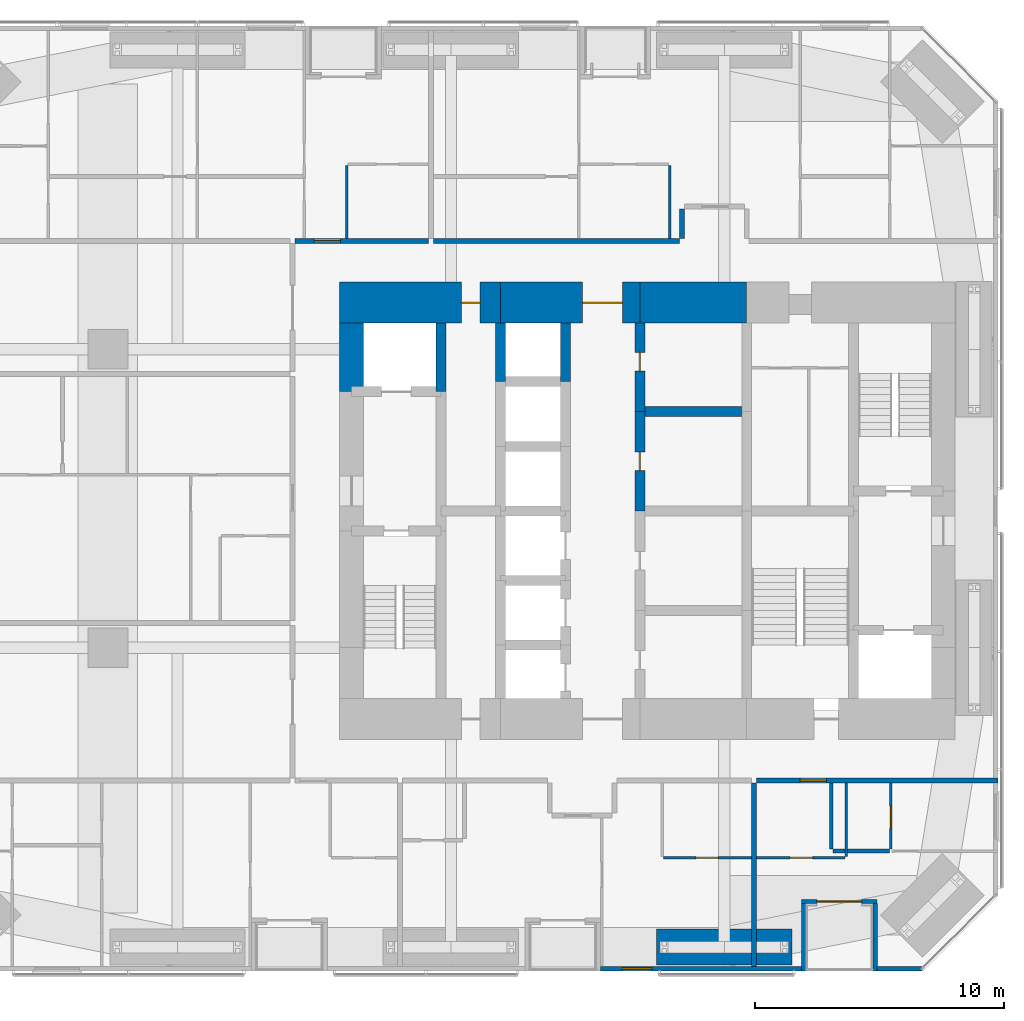
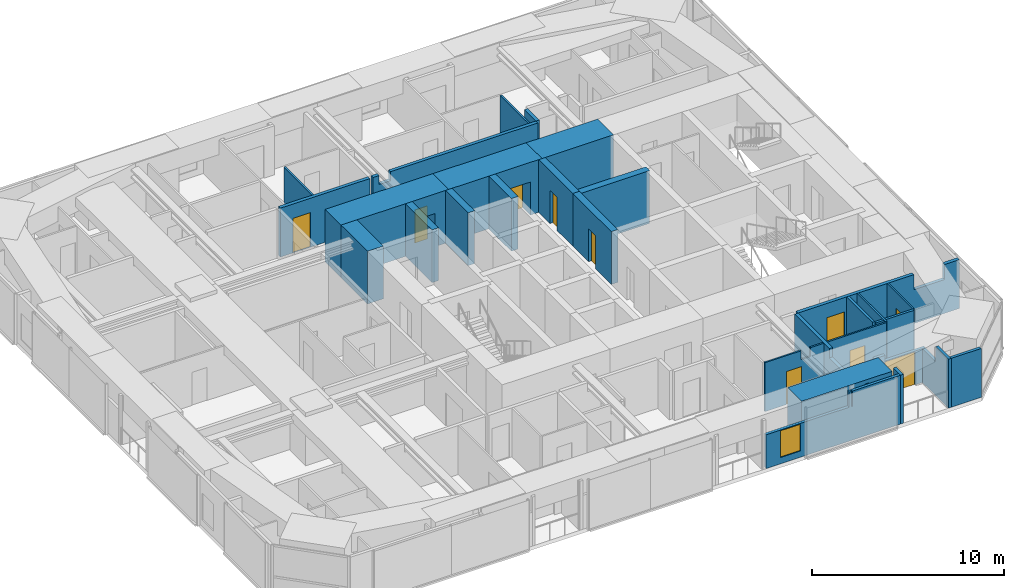
# One storey, part 19 of 23: 30 walls, 10 doors, 1 window, 11 openings.
"""IFC4 building model written with IfcOpenShell, lengths in metres."""

from ifc_helpers import new_model, si_unit, direction, frame, frame_2d, origin, place, context, subcontext, project, spatial, polyline, rectangle, outline, extrude, material, layer, layer_set, constituent, constituent_set, type_object, element, fill, save


model = new_model("IFC4")

# Units and contexts
model_context = context("Model", 3, precision=1e-05, world=origin(), true_north=direction((0.0, 1.0)))
body_context = subcontext(model_context, "Body", "Model", "MODEL_VIEW")
ifc_project = project(units=[si_unit("LENGTHUNIT", "METRE"), si_unit("AREAUNIT", "SQUARE_METRE"), si_unit("VOLUMEUNIT", "CUBIC_METRE"), si_unit("PLANEANGLEUNIT", "RADIAN"), si_unit("MASSUNIT", "GRAM", prefix="KILO")], contexts=[model_context])

# Site, building, storey
site_placement = place(None, origin())
site = spatial("IfcSite", under=ifc_project, at=site_placement, CompositionType="ELEMENT")
building_placement = place(site_placement, origin())
building = spatial("IfcBuilding", under=site, at=building_placement, Name="Jalousie Tower", CompositionType="ELEMENT")
storey_placement = place(building_placement, frame((0.0, 0.0, 37.75)))
storey = spatial("IfcBuildingStorey", under=building, at=storey_placement, Name="L09", CompositionType="ELEMENT", Elevation=37.75)

# Walls
ifc_material_1 = material(Name="Concrete block ASTM C90", Category="concrete")
ifc_constituent_1 = constituent(ifc_material_1, Name="Body")
ifc_material_2 = material(Name="Render")
ifc_constituent_2 = constituent(ifc_material_2, Name="Finish")
ifc_constituent_set_1 = constituent_set(constituents=[ifc_constituent_1, ifc_constituent_2])
wall_type_1 = type_object("IfcWallType", Name="BATHROOM WALL 150", PredefinedType="PLUMBINGWALL", material=ifc_constituent_set_1)
wall_1_placement = place(storey_placement, frame((39.375, 4.8173828125, 0.0), z_axis=(0.0, 0.0, 1.0), x_axis=(1.0, 0.0, 0.0)))
element("IfcWall", 1, at=wall_1_placement, inside=storey, type_object=wall_type_1, Name="Bathroom Wall 150 L09", PredefinedType="PLUMBINGWALL", context=body_context, shape_type="SweptSolid", body=[
    extrude(rectangle(XDim=2.27490234375, YDim=0.14990234375, at=frame_2d((1.137451171875, 0.0))), origin(), (0.0, 0.0, 1.0), 3.110107421875),
])
wall_2_placement = place(storey_placement, frame((39.300048828125, 4.892333984375, 0.0), z_axis=(0.0, 0.0, 1.0), x_axis=(0.0, 1.0, 0.0)))
element("IfcWall", 2, at=wall_2_placement, inside=storey, type_object=wall_type_1, Name="Bathroom Wall 150 L09", PredefinedType="PLUMBINGWALL", context=body_context, shape_type="SweptSolid", body=[
    extrude(rectangle(XDim=2.65771484375, YDim=0.14990234375, at=frame_2d((1.328857421875, 0.0))), origin(), (0.0, 0.0, 1.0), 3.110107421875),
])
ifc_material_3 = material(Name="Concrete f'c 120 MPa", Category="concrete")
ifc_layer_1 = layer(ifc_material_3, 1.64990234375)
ifc_layer_set_1 = layer_set([ifc_layer_1], Name="Concrete f'c 120 MPa")
wall_type_2 = type_object("IfcWallType", Name="CORE WALL 1650", PredefinedType="SHEAR", material=ifc_layer_set_1)
wall_3_placement = place(storey_placement, frame((35.89990234375, 26.875, 0.0), z_axis=(0.0, 0.0, 1.0), x_axis=(-1.0, 0.0, 0.0)))
element("IfcWall", 3, at=wall_3_placement, inside=storey, type_object=wall_type_2, Name="Core wall NB L09", PredefinedType="SHEAR", context=body_context, shape_type="SweptSolid", body=[
    extrude(rectangle(XDim=4.2998046875, YDim=1.64990234375, at=frame_2d((2.14990234375, 0.0))), origin(), (0.0, 0.0, 1.0), 3.35009765625),
])

# Wall, opening, door
wall_4_placement = place(storey_placement, frame((31.60009765625, 26.875, 0.0), z_axis=(0.0, 0.0, 1.0), x_axis=(-1.0, 0.0, 0.0)))
wall_4 = element("IfcWall", 4, at=wall_4_placement, inside=storey, type_object=wall_type_2, Name="Core wall NC L09", PredefinedType="SHEAR", context=body_context, shape_type="SweptSolid", body=[
    extrude(rectangle(XDim=5.60009765625, YDim=1.64990234375, at=frame_2d((2.800048828125, 0.0))), origin(), (0.0, 0.0, 1.0), 3.35009765625),
])
opening_1_placement = place(wall_4_placement, frame((0.699951171875, 0.0, 0.0)))
opening_1 = element("IfcOpeningElement", 5, at=opening_1_placement, cuts=wall_4, Name="Opening D15", PredefinedType="OPENING", context=body_context, shape_type="SweptSolid", body=[
    extrude(rectangle(XDim=1.60009765625, YDim=2.10009765625, at=frame_2d((0.800048828125, 1.050048828125))), frame((0.0, 0.8349609375, 0.0), z_axis=(0.0, -1.0, 0.0), x_axis=(1.0, 0.0, 0.0)), (0.0, 0.0, 1.0), 1.669921875),
])
ifc_material_4 = material(Name="Steel fire door", Category="steel")
door_type_1 = type_object("IfcDoorType", Name="LIFT LOBBY DOOR 1600", OperationType="DOUBLE_DOOR_SINGLE_SWING", PredefinedType="DOOR", material=ifc_material_4)
door_1_placement = place(opening_1_placement, origin())
door_1 = element("IfcDoor", 6, at=door_1_placement, inside=storey, type_object=door_type_1, Name="Lift lobby north door", OperationType="DOUBLE_DOOR_SINGLE_SWING", OverallHeight=2.10009765625, OverallWidth=1.60009765625, PredefinedType="DOOR", context=body_context, shape_type="SweptSolid", body=[
    extrude(rectangle(XDim=1.60009765625, YDim=2.10009765625, at=frame_2d((0.800048828125, 1.050048828125))), frame((0.0, 0.02490234375, 0.0), z_axis=(0.0, -1.0, 0.0), x_axis=(1.0, 0.0, 0.0)), (0.0, 0.0, 1.0), 0.050048828125),
])
fill(opening_1, door_1)

wall_5_placement = place(storey_placement, frame((26.0, 26.875, 0.0), z_axis=(0.0, 0.0, 1.0), x_axis=(-1.0, 0.0, 0.0)))
wall_5 = element("IfcWall", 7, at=wall_5_placement, inside=storey, type_object=wall_type_2, Name="Core wall ND L09", PredefinedType="SHEAR", context=body_context, shape_type="SweptSolid", body=[
    extrude(rectangle(XDim=6.47509765625, YDim=1.64990234375, at=frame_2d((3.237548828125, 0.0))), origin(), (0.0, 0.0, 1.0), 3.35009765625),
])
opening_2_placement = place(wall_5_placement, frame((0.824951171875, 0.0, 0.0)))
opening_2 = element("IfcOpeningElement", 8, at=opening_2_placement, cuts=wall_5, Name="Opening D16", PredefinedType="OPENING", context=body_context, shape_type="SweptSolid", body=[
    extrude(rectangle(XDim=0.75, YDim=2.10009765625, at=frame_2d((0.375, 1.050048828125))), frame((0.0, 0.8349609375, 0.0), z_axis=(0.0, -1.0, 0.0), x_axis=(1.0, 0.0, 0.0)), (0.0, 0.0, 1.0), 1.669921875),
])
ifc_material_5 = material(Name="Steel fire door", Category="steel")
door_type_2 = type_object("IfcDoorType", Name="RISER DOOR 750", OperationType="SINGLE_SWING_LEFT", PredefinedType="DOOR", material=ifc_material_5)
door_2_placement = place(opening_2_placement, origin())
door_2 = element("IfcDoor", 9, at=door_2_placement, inside=storey, type_object=door_type_2, Name="North riser door", OperationType="SINGLE_SWING_RIGHT", OverallHeight=2.10009765625, OverallWidth=0.75, PredefinedType="DOOR", context=body_context, shape_type="SweptSolid", body=[
    extrude(rectangle(XDim=0.75, YDim=2.10009765625, at=frame_2d((0.375, 1.050048828125))), frame((0.0, 0.02490234375, 0.0), z_axis=(0.0, -1.0, 0.0), x_axis=(1.0, 0.0, 0.0)), (0.0, 0.0, 1.0), 0.050048828125),
])
fill(opening_2, door_2)

# Walls
ifc_material_6 = material(Name="Concrete f'c 120 MPa", Category="concrete")
ifc_layer_2 = layer(ifc_material_6, 0.39990234375)
ifc_layer_set_2 = layer_set([ifc_layer_2], Name="Concrete f'c 120 MPa")
wall_type_3 = type_object("IfcWallType", Name="CORE WALL 400", PredefinedType="SHEAR", material=ifc_layer_set_2)
wall_6_placement = place(storey_placement, frame((23.60009765625, 23.300048828125, 0.0), z_axis=(0.0, 0.0, 1.0), x_axis=(0.0, 1.0, 0.0)))
element("IfcWall", 10, at=wall_6_placement, inside=storey, type_object=wall_type_3, Name="Core wall X23.6C L09", PredefinedType="SHEAR", context=body_context, shape_type="SweptSolid", body=[
    extrude(rectangle(XDim=2.75, YDim=0.39990234375, at=frame_2d((1.375, 0.0))), origin(), (0.0, 0.0, 1.0), 3.35009765625),
])
for number, where, z_axis, x_axis, name in (
    (11, (26.0, 23.699951171875, 0.0), (0.0, 0.0, 1.0), (0.0, 1.0, 0.0), "Core wall X26F L09"),
    (12, (28.60009765625, 23.699951171875, 0.0), (0.0, 0.0, 1.0), (0.0, 1.0, 0.0), "Core wall X28.6F L09"),
):
    element("IfcWall", number, at=place(storey_placement, frame(where, z_axis=z_axis, x_axis=x_axis)), inside=storey, type_object=wall_type_3, Name=name, PredefinedType="SHEAR", context=body_context, shape_type="SweptSolid", body=[
        extrude(rectangle(XDim=2.35009765625, YDim=0.39990234375, at=frame_2d((1.175048828125, 0.0))), origin(), (0.0, 0.0, 1.0), 3.35009765625),
    ])

# Wall, opening, door
wall_7_placement = place(storey_placement, frame((31.60009765625, 18.5, 0.0), z_axis=(0.0, 0.0, 1.0), x_axis=(0.0, 1.0, 0.0)))
wall_7 = element("IfcWall", 13, at=wall_7_placement, inside=storey, type_object=wall_type_3, Name="Core wall X31.6C L09", PredefinedType="SHEAR", context=body_context, shape_type="SweptSolid", body=[
    extrude(rectangle(XDim=4.0, YDim=0.39990234375, at=frame_2d((2.0, 0.0))), origin(), (0.0, 0.0, 1.0), 3.35009765625),
])
opening_3_placement = place(wall_7_placement, frame((1.625, 0.0, 0.0)))
opening_3 = element("IfcOpeningElement", 14, at=opening_3_placement, cuts=wall_7, Name="Opening D16", PredefinedType="OPENING", context=body_context, shape_type="SweptSolid", body=[
    extrude(rectangle(XDim=0.75, YDim=2.10009765625, at=frame_2d((0.375, 1.050048828125))), frame((0.0, 0.2099609375, 0.0), z_axis=(0.0, -1.0, 0.0), x_axis=(1.0, 0.0, 0.0)), (0.0, 0.0, 1.0), 0.419921875),
])
door_3_placement = place(opening_3_placement, frame((0.75, 0.0, 0.0), z_axis=(0.0, 0.0, 1.0), x_axis=(-1.0, 0.0, 0.0)))
door_3 = element("IfcDoor", 15, at=door_3_placement, inside=storey, type_object=door_type_2, Name="Telecom Room door", OperationType="SINGLE_SWING_LEFT", OverallHeight=2.10009765625, OverallWidth=0.75, PredefinedType="DOOR", context=body_context, shape_type="SweptSolid", body=[
    extrude(rectangle(XDim=0.75, YDim=2.10009765625, at=frame_2d((0.375, 1.050048828125))), frame((0.0, 0.02490234375, 0.0), z_axis=(0.0, -1.0, 0.0), x_axis=(1.0, 0.0, 0.0)), (0.0, 0.0, 1.0), 0.050048828125),
])
fill(opening_3, door_3)

wall_8_placement = place(storey_placement, frame((31.60009765625, 22.5, 0.0), z_axis=(0.0, 0.0, 1.0), x_axis=(0.0, 1.0, 0.0)))
wall_8 = element("IfcWall", 16, at=wall_8_placement, inside=storey, type_object=wall_type_3, Name="Core wall X31.6D L09", PredefinedType="SHEAR", context=body_context, shape_type="SweptSolid", body=[
    extrude(rectangle(XDim=3.550048828125, YDim=0.39990234375, at=frame_2d((1.77490234375, 0.0))), origin(), (0.0, 0.0, 1.0), 3.35009765625),
])
opening_4_placement = place(wall_8_placement, frame((1.625, 0.0, 0.0)))
opening_4 = element("IfcOpeningElement", 17, at=opening_4_placement, cuts=wall_8, Name="Opening D16", PredefinedType="OPENING", context=body_context, shape_type="SweptSolid", body=[
    extrude(rectangle(XDim=0.75, YDim=2.10009765625, at=frame_2d((0.375, 1.050048828125))), frame((0.0, 0.2099609375, 0.0), z_axis=(0.0, -1.0, 0.0), x_axis=(1.0, 0.0, 0.0)), (0.0, 0.0, 1.0), 0.419921875),
])
door_4_placement = place(opening_4_placement, frame((0.75, 0.0, 0.0), z_axis=(0.0, 0.0, 1.0), x_axis=(-1.0, 0.0, 0.0)))
door_4 = element("IfcDoor", 18, at=door_4_placement, inside=storey, type_object=door_type_2, Name="Water Services Room door", OperationType="SINGLE_SWING_LEFT", OverallHeight=2.10009765625, OverallWidth=0.75, PredefinedType="DOOR", context=body_context, shape_type="SweptSolid", body=[
    extrude(rectangle(XDim=0.75, YDim=2.10009765625, at=frame_2d((0.375, 1.050048828125))), frame((0.0, 0.02490234375, 0.0), z_axis=(0.0, -1.0, 0.0), x_axis=(1.0, 0.0, 0.0)), (0.0, 0.0, 1.0), 0.050048828125),
])
fill(opening_4, door_4)

# Walls
wall_9_placement = place(storey_placement, frame((31.60009765625, 22.5, 0.0), z_axis=(0.0, 0.0, 1.0), x_axis=(1.0, 0.0, 0.0)))
element("IfcWall", 19, at=wall_9_placement, inside=storey, type_object=wall_type_3, Name="Core wall Y31.6-22.5 L09", PredefinedType="SHEAR", context=body_context, shape_type="SweptSolid", body=[
    extrude(rectangle(XDim=4.2998046875, YDim=0.39990234375, at=frame_2d((2.14990234375, 0.0))), origin(), (0.0, 0.0, 1.0), 3.35009765625),
])
ifc_material_7 = material(Name="Concrete f'c 120 MPa", Category="concrete")
ifc_layer_3 = layer(ifc_material_7, 0.949951171875)
ifc_layer_set_3 = layer_set([ifc_layer_3], Name="Concrete f'c 120 MPa")
wall_type_4 = type_object("IfcWallType", Name="CORE WALL 950", PredefinedType="SHEAR", material=ifc_layer_set_3)
wall_10_placement = place(storey_placement, frame((20.0, 26.050048828125, 0.0), z_axis=(0.0, 0.0, 1.0), x_axis=(0.0, -1.0, 0.0)))
element("IfcWall", 20, at=wall_10_placement, inside=storey, type_object=wall_type_4, Name="Core wall WA L09", PredefinedType="SHEAR", context=body_context, shape_type="SweptSolid", body=[
    extrude(rectangle(XDim=2.75, YDim=0.949951171875, at=frame_2d((1.375, 0.0))), origin(), (0.0, 0.0, 1.0), 3.35009765625),
])

# Wall, opening, door
ifc_material_8 = material(Name="Concrete block ASTM C90", Category="concrete")
ifc_constituent_3 = constituent(ifc_material_8, Name="Body")
ifc_material_9 = material(Name="Render")
ifc_constituent_4 = constituent(ifc_material_9, Name="Finish")
ifc_constituent_set_2 = constituent_set(constituents=[ifc_constituent_3, ifc_constituent_4])
wall_type_5 = type_object("IfcWallType", Name="CORRIDOR WALL 200", PredefinedType="PARTITIONING", material=ifc_constituent_set_2)
wall_11_placement = place(storey_placement, frame((36.300048828125, 7.64990234375, 0.0), z_axis=(0.0, 0.0, 1.0), x_axis=(1.0, 0.0, 0.0)))
wall_11 = element("IfcWall", 21, at=wall_11_placement, inside=storey, type_object=wall_type_5, Name="Corridor Wall 200 L09", PredefinedType="PARTITIONING", context=body_context, shape_type="SweptSolid", body=[
    extrude(outline(polyline([(0.0, 0.0), (9.699951171875, 0.0), (9.699951171875, 3.110107421875), (8.80419921875, 3.110107421875), (8.80419921875, 2.14990234375), (6.96044921875, 2.14990234375), (6.96044921875, 3.110107421875), (0.0, 3.110107421875), (0.0, 0.0)])), frame((0.0, 0.10009765625, 0.0), z_axis=(0.0, -1.0, 0.0), x_axis=(1.0, 0.0, 0.0)), (0.0, 0.0, 1.0), 0.199951171875),
])
opening_5_placement = place(wall_11_placement, frame((1.75, 0.0, 0.0)))
opening_5 = element("IfcOpeningElement", 22, at=opening_5_placement, cuts=wall_11, Name="Opening D1", PredefinedType="OPENING", context=body_context, shape_type="SweptSolid", body=[
    extrude(rectangle(XDim=1.050048828125, YDim=2.199951171875, at=frame_2d((0.52490234375, 1.10009765625))), frame((0.0, 0.10986328125, 0.0), z_axis=(0.0, -1.0, 0.0), x_axis=(1.0, 0.0, 0.0)), (0.0, 0.0, 1.0), 0.219970703125),
])
ifc_material_10 = material(Name="Timber fire door", Category="wood")
door_type_3 = type_object("IfcDoorType", Name="APARTMENT ENTRANCE DOOR 1050", OperationType="SINGLE_SWING_LEFT", PredefinedType="DOOR", material=ifc_material_10)
door_5_placement = place(opening_5_placement, frame((1.050048828125, 0.0, 0.0), z_axis=(0.0, 0.0, 1.0), x_axis=(-1.0, 0.0, 0.0)))
door_5 = element("IfcDoor", 23, at=door_5_placement, inside=storey, type_object=door_type_3, Name="Apartment 0903 entrance", OperationType="SINGLE_SWING_LEFT", OverallHeight=2.199951171875, OverallWidth=1.050048828125, PredefinedType="DOOR", context=body_context, shape_type="SweptSolid", body=[
    extrude(rectangle(XDim=1.050048828125, YDim=2.199951171875, at=frame_2d((0.52490234375, 1.10009765625))), frame((0.0, 0.02490234375, 0.0), z_axis=(0.0, -1.0, 0.0), x_axis=(1.0, 0.0, 0.0)), (0.0, 0.0, 1.0), 0.050048828125),
])
fill(opening_5, door_5)

wall_12_placement = place(storey_placement, frame((17.72509765625, 29.35009765625, 0.0), z_axis=(0.0, 0.0, 1.0), x_axis=(1.0, 0.0, 0.0)))
wall_12 = element("IfcWall", 24, at=wall_12_placement, inside=storey, type_object=wall_type_5, Name="Corridor Wall 200 L09", PredefinedType="PARTITIONING", context=body_context, shape_type="SweptSolid", body=[
    extrude(rectangle(XDim=5.375, YDim=0.199951171875, at=frame_2d((2.6875, 0.0))), origin(), (0.0, 0.0, 1.0), 3.110107421875),
])
opening_6_placement = place(wall_12_placement, frame((0.77490234375, 0.0, 0.0)))
opening_6 = element("IfcOpeningElement", 25, at=opening_6_placement, cuts=wall_12, Name="Opening D1", PredefinedType="OPENING", context=body_context, shape_type="SweptSolid", body=[
    extrude(rectangle(XDim=1.050048828125, YDim=2.199951171875, at=frame_2d((0.52490234375, 1.10009765625))), frame((0.0, 0.10986328125, 0.0), z_axis=(0.0, -1.0, 0.0), x_axis=(1.0, 0.0, 0.0)), (0.0, 0.0, 1.0), 0.219970703125),
])
door_6_placement = place(opening_6_placement, origin())
door_6 = element("IfcDoor", 26, at=door_6_placement, inside=storey, type_object=door_type_3, Name="Apartment 0904 entrance", OperationType="SINGLE_SWING_RIGHT", OverallHeight=2.199951171875, OverallWidth=1.050048828125, PredefinedType="DOOR", context=body_context, shape_type="SweptSolid", body=[
    extrude(rectangle(XDim=1.050048828125, YDim=2.199951171875, at=frame_2d((0.52490234375, 1.10009765625))), frame((0.0, 0.02490234375, 0.0), z_axis=(0.0, -1.0, 0.0), x_axis=(1.0, 0.0, 0.0)), (0.0, 0.0, 1.0), 0.050048828125),
])
fill(opening_6, door_6)

# Walls
wall_13_placement = place(storey_placement, frame((23.300048828125, 29.35009765625, 0.0), z_axis=(0.0, 0.0, 1.0), x_axis=(1.0, 0.0, 0.0)))
element("IfcWall", 27, at=wall_13_placement, inside=storey, type_object=wall_type_5, Name="Corridor Wall 200 L09", PredefinedType="PARTITIONING", context=body_context, shape_type="SweptSolid", body=[
    extrude(outline(polyline([(0.0, 0.0), (9.89990234375, 0.0), (9.89990234375, 3.110107421875), (1.037353515625, 3.110107421875), (1.037353515625, 2.541015625), (0.362548828125, 2.541015625), (0.362548828125, 3.110107421875), (0.0, 3.110107421875), (0.0, 0.0)])), frame((0.0, 0.10009765625, 0.0), z_axis=(0.0, -1.0, 0.0), x_axis=(1.0, 0.0, 0.0)), (0.0, 0.0, 1.0), 0.199951171875),
])
wall_14_placement = place(storey_placement, frame((33.300048828125, 29.449951171875, 0.0), z_axis=(0.0, 0.0, 1.0), x_axis=(0.0, 1.0, 0.0)))
element("IfcWall", 28, at=wall_14_placement, inside=storey, type_object=wall_type_5, Name="Corridor Wall 200 L09", PredefinedType="PARTITIONING", context=body_context, shape_type="SweptSolid", body=[
    extrude(rectangle(XDim=1.199951171875, YDim=0.199951171875, at=frame_2d((0.60009765625, 0.0))), origin(), (0.0, 0.0, 1.0), 3.110107421875),
])

# Wall, opening, window
ifc_material_11 = material(Name="Concrete f'c 40 MPa", Category="concrete")
ifc_constituent_5 = constituent(ifc_material_11, Name="Body")
ifc_material_12 = material(Name="Render, pastel coral")
ifc_constituent_6 = constituent(ifc_material_12, Name="Finish")
ifc_constituent_set_3 = constituent_set(constituents=[ifc_constituent_5, ifc_constituent_6])
wall_type_6 = type_object("IfcWallType", Name="EXTERNAL WALL 175 CORAL RENDER", PredefinedType="SOLIDWALL", material=ifc_constituent_set_3)
wall_15_placement = place(storey_placement, frame((30.02490234375, 0.08740234375, 0.0), z_axis=(0.0, 0.0, 1.0), x_axis=(1.0, 0.0, 0.0)))
wall_15 = element("IfcWall", 29, at=wall_15_placement, inside=storey, type_object=wall_type_6, Name="External Wall 175 Coral Render L09", PredefinedType="SOLIDWALL", context=body_context, shape_type="SweptSolid", body=[
    extrude(outline(polyline([(0.0, 0.0), (8.0751953125, 0.0), (8.074951171875, 3.110107421875), (5.178955078125, 3.110107421875), (5.178955078125, 2.14990234375), (5.130615234375, 2.14990234375), (5.130615234375, 3.110107421875), (4.97509765625, 3.110107421875), (4.97509765625, 2.14990234375), (0.0, 2.14990234375), (0.0, 0.0)])), frame((0.0, 0.08740234375, 0.0), z_axis=(0.0, -1.0, 0.0), x_axis=(1.0, 0.0, 0.0)), (0.0, 0.0, 1.0), 0.175048828125),
])
opening_7_placement = place(wall_15_placement, frame((0.857421875, 0.0, 0.39990234375)))
opening_7 = element("IfcOpeningElement", 30, at=opening_7_placement, cuts=wall_15, Name="Opening W-COR170", PredefinedType="OPENING", context=body_context, shape_type="SweptSolid", body=[
    extrude(rectangle(XDim=1.199951171875, YDim=1.699951171875, at=frame_2d((0.60009765625, 0.85009765625))), frame((0.0, 0.097412109375, 0.0), z_axis=(0.0, -1.0, 0.0), x_axis=(1.0, 0.0, 0.0)), (0.0, 0.0, 1.0), 0.195068359375),
])
ifc_material_13 = material(Name="Aluminium frame, impact-rated glazing", Category="aluminium")
window_type = type_object("IfcWindowType", Name="WINDOW COR 1200x1700", PartitioningType="SINGLE_PANEL", PredefinedType="WINDOW", material=ifc_material_13)
window_placement = place(opening_7_placement, origin())
window = element("IfcWindow", 31, at=window_placement, inside=storey, type_object=window_type, Name="Apartment 0902 dining room window", OverallHeight=1.699951171875, OverallWidth=1.199951171875, PartitioningType="SINGLE_PANEL", PredefinedType="WINDOW", context=body_context, shape_type="SweptSolid", body=[
    extrude(rectangle(XDim=1.199951171875, YDim=1.699951171875, at=frame_2d((0.60009765625, 0.85009765625))), frame((0.0, 0.030029296875, 0.0), z_axis=(0.0, -1.0, 0.0), x_axis=(1.0, 0.0, 0.0)), (0.0, 0.0, 1.0), 0.06005859375),
])
fill(opening_7, window)

# Walls
wall_16_placement = place(storey_placement, frame((41.14990234375, 0.08740234375, 0.0), z_axis=(0.0, 0.0, 1.0), x_axis=(1.0, 0.0, 0.0)))
element("IfcWall", 32, at=wall_16_placement, inside=storey, type_object=wall_type_6, Name="External Wall 175 Coral Render L09", PredefinedType="SOLIDWALL", context=body_context, shape_type="SweptSolid", body=[
    extrude(rectangle(XDim=1.798828125, YDim=0.175048828125, at=frame_2d((0.8994140625, 0.0))), origin(), (0.0, 0.0, 1.0), 3.110107421875),
])
wall_17_placement = place(storey_placement, frame((38.10009765625, 2.78759765625, 0.0), z_axis=(0.0, 0.0, 1.0), x_axis=(1.0, 0.0, 0.0)))
element("IfcWall", 33, at=wall_17_placement, inside=storey, type_object=wall_type_6, Name="External Wall 175 Coral Render L09-A", PredefinedType="SOLIDWALL", context=body_context, shape_type="SweptSolid", body=[
    extrude(rectangle(XDim=0.625, YDim=0.175048828125, at=frame_2d((0.3125, 0.0))), origin(), (0.0, 0.0, 1.0), 2.510009765625),
])

# Wall, opening, door
wall_18_placement = place(storey_placement, frame((38.72509765625, 2.78759765625, 0.0), z_axis=(0.0, 0.0, 1.0), x_axis=(1.0, 0.0, 0.0)))
wall_18 = element("IfcWall", 34, at=wall_18_placement, inside=storey, type_object=wall_type_6, Name="External Wall 175 Coral Render L09-B", PredefinedType="SOLIDWALL", context=body_context, shape_type="SweptSolid", body=[
    extrude(rectangle(XDim=2.4248046875, YDim=0.175048828125, at=frame_2d((1.21240234375, 0.0))), origin(), (0.0, 0.0, 1.0), 2.14990234375),
])
opening_8_placement = place(wall_18_placement, origin())
opening_8 = element("IfcOpeningElement", 35, at=opening_8_placement, cuts=wall_18, Name="Opening D-BAL21", PredefinedType="OPENING", context=body_context, shape_type="SweptSolid", body=[
    extrude(rectangle(XDim=1.800048828125, YDim=2.10009765625, at=frame_2d((0.89990234375, 1.050048828125))), frame((0.0, 0.097412109375, 0.0), z_axis=(0.0, -1.0, 0.0), x_axis=(1.0, 0.0, 0.0)), (0.0, 0.0, 1.0), 0.195068359375),
])
ifc_material_14 = material(Name="Aluminium frame, impact-rated glazing", Category="aluminium")
door_type_4 = type_object("IfcDoorType", Name="BALCONY DOOR 1800x2100", OperationType="SLIDING_TO_LEFT", PredefinedType="DOOR", material=ifc_material_14)
door_7_placement = place(opening_8_placement, origin())
door_7 = element("IfcDoor", 36, at=door_7_placement, inside=storey, type_object=door_type_4, Name="Apartment 0903 living and dining room loggia door", OperationType="SLIDING_TO_LEFT", OverallHeight=2.10009765625, OverallWidth=1.800048828125, PredefinedType="DOOR", context=body_context, shape_type="SweptSolid", body=[
    extrude(rectangle(XDim=1.800048828125, YDim=2.10009765625, at=frame_2d((0.89990234375, 1.050048828125))), frame((0.0, 0.02490234375, 0.0), z_axis=(0.0, -1.0, 0.0), x_axis=(1.0, 0.0, 0.0)), (0.0, 0.0, 1.0), 0.050048828125),
])
fill(opening_8, door_7)

# Walls
wall_19_placement = place(storey_placement, frame((38.1875, 0.0, 0.0), z_axis=(0.0, 0.0, 1.0), x_axis=(0.0, 1.0, 0.0)))
element("IfcWall", 37, at=wall_19_placement, inside=storey, type_object=wall_type_6, Name="External Wall 175 Coral Render L09", PredefinedType="SOLIDWALL", context=body_context, shape_type="SweptSolid", body=[
    extrude(outline(polyline([(0.0, 0.0), (2.699951171875, 0.0), (2.699951171875, 2.510009765625), (2.424072265625, 2.510009765625), (2.424072265625, 2.14990234375), (0.7568359375, 2.14990234375), (0.7568359375, 3.110107421875), (0.0, 3.110107421875), (0.0, 0.0)])), frame((0.0, 0.08740234375, 0.0), z_axis=(0.0, -1.0, 0.0), x_axis=(1.0, 0.0, 0.0)), (0.0, 0.0, 1.0), 0.175048828125),
])
wall_20_placement = place(storey_placement, frame((41.0625, 0.0, 0.0), z_axis=(0.0, 0.0, 1.0), x_axis=(0.0, 1.0, 0.0)))
element("IfcWall", 38, at=wall_20_placement, inside=storey, type_object=wall_type_6, Name="External Wall 175 Coral Render L09", PredefinedType="SOLIDWALL", context=body_context, shape_type="SweptSolid", body=[
    extrude(outline(polyline([(0.0, 0.0), (2.699951171875, 0.0), (2.699951171875, 2.14990234375), (1.33447265625, 2.14990234375), (1.33447265625, 3.110107421875), (0.0, 3.110107421875), (0.0, 0.0)])), frame((0.0, 0.08740234375, 0.0), z_axis=(0.0, -1.0, 0.0), x_axis=(1.0, 0.0, 0.0)), (0.0, 0.0, 1.0), 0.175048828125),
])

# Wall, opening, door
ifc_material_15 = material(Name="Gypsum board", Category="gypsum")
ifc_constituent_7 = constituent(ifc_material_15, Name="Body")
ifc_material_16 = material(Name="Light-gauge steel studs ASTM A653 SS Grade 33", Category="steel")
ifc_constituent_8 = constituent(ifc_material_16, Name="Framing")
ifc_constituent_set_4 = constituent_set(constituents=[ifc_constituent_7, ifc_constituent_8])
wall_type_7 = type_object("IfcWallType", Name="PARTITION 100", PredefinedType="PARTITIONING", material=ifc_constituent_set_4)
wall_21_placement = place(storey_placement, frame((32.550048828125, 4.550048828125, 0.0), z_axis=(0.0, 0.0, 1.0), x_axis=(1.0, 0.0, 0.0)))
wall_21 = element("IfcWall", 39, at=wall_21_placement, inside=storey, type_object=wall_type_7, Name="Partition 100 L09", PredefinedType="PARTITIONING", context=body_context, shape_type="SweptSolid", body=[
    extrude(outline(polyline([(0.0, 0.0), (3.550048828125, 0.0), (3.550048828125, 3.110107421875), (2.7373046875, 3.110107421875), (2.7373046875, 2.541015625), (2.16259765625, 2.541015625), (2.16259765625, 3.110107421875), (0.0, 3.110107421875), (0.0, 0.0)])), frame((0.0, 0.050048828125, 0.0), z_axis=(0.0, -1.0, 0.0), x_axis=(1.0, 0.0, 0.0)), (0.0, 0.0, 1.0), 0.10009765625),
])
opening_9_placement = place(wall_21_placement, frame((1.300048828125, 0.0, 0.0)))
opening_9 = element("IfcOpeningElement", 40, at=opening_9_placement, cuts=wall_21, Name="Opening D7", PredefinedType="OPENING", context=body_context, shape_type="SweptSolid", body=[
    extrude(rectangle(XDim=0.89990234375, YDim=2.10009765625, at=frame_2d((0.449951171875, 1.050048828125))), frame((0.0, 0.06005859375, 0.0), z_axis=(0.0, -1.0, 0.0), x_axis=(1.0, 0.0, 0.0)), (0.0, 0.0, 1.0), 0.1201171875),
])
ifc_material_17 = material(Name="Timber door", Category="wood")
door_type_5 = type_object("IfcDoorType", Name="INTERNAL DOOR 900", OperationType="SINGLE_SWING_LEFT", PredefinedType="DOOR", material=ifc_material_17)
door_8_placement = place(opening_9_placement, frame((0.89990234375, 0.0, 0.0), z_axis=(0.0, 0.0, 1.0), x_axis=(-1.0, 0.0, 0.0)))
door_8 = element("IfcDoor", 41, at=door_8_placement, inside=storey, type_object=door_type_5, Name="Apartment 0902 kitchen door", OperationType="SINGLE_SWING_LEFT", OverallHeight=2.10009765625, OverallWidth=0.89990234375, PredefinedType="DOOR", context=body_context, shape_type="SweptSolid", body=[
    extrude(rectangle(XDim=0.89990234375, YDim=2.10009765625, at=frame_2d((0.449951171875, 1.050048828125))), frame((0.0, 0.02490234375, 0.0), z_axis=(0.0, -1.0, 0.0), x_axis=(1.0, 0.0, 0.0)), (0.0, 0.0, 1.0), 0.050048828125),
])
fill(opening_9, door_8)

wall_22_placement = place(storey_placement, frame((41.699951171875, 4.892333984375, 0.0), z_axis=(0.0, 0.0, 1.0), x_axis=(0.0, 1.0, 0.0)))
wall_22 = element("IfcWall", 42, at=wall_22_placement, inside=storey, type_object=wall_type_7, Name="Partition 100 L09", PredefinedType="PARTITIONING", context=body_context, shape_type="SweptSolid", body=[
    extrude(rectangle(XDim=2.65771484375, YDim=0.10009765625, at=frame_2d((1.328857421875, 0.0))), origin(), (0.0, 0.0, 1.0), 3.110107421875),
])
opening_10_placement = place(wall_22_placement, frame((0.84130859375, 0.0, 0.0)))
opening_10 = element("IfcOpeningElement", 43, at=opening_10_placement, cuts=wall_22, Name="Opening D3", PredefinedType="OPENING", context=body_context, shape_type="SweptSolid", body=[
    extrude(rectangle(XDim=0.89990234375, YDim=2.10009765625, at=frame_2d((0.449951171875, 1.050048828125))), frame((0.0, 0.06005859375, 0.0), z_axis=(0.0, -1.0, 0.0), x_axis=(1.0, 0.0, 0.0)), (0.0, 0.0, 1.0), 0.1201171875),
])
ifc_material_18 = material(Name="Timber door", Category="wood")
door_type_6 = type_object("IfcDoorType", Name="BATHROOM DOOR 900", OperationType="SINGLE_SWING_LEFT", PredefinedType="DOOR", material=ifc_material_18)
door_9_placement = place(opening_10_placement, origin())
door_9 = element("IfcDoor", 44, at=door_9_placement, inside=storey, type_object=door_type_6, Name="Apartment 0903 bedroom 1 bathroom door", OperationType="SINGLE_SWING_LEFT", OverallHeight=2.10009765625, OverallWidth=0.89990234375, PredefinedType="DOOR", context=body_context, shape_type="SweptSolid", body=[
    extrude(rectangle(XDim=0.89990234375, YDim=2.10009765625, at=frame_2d((0.449951171875, 1.050048828125))), frame((0.0, 0.02490234375, 0.0), z_axis=(0.0, -1.0, 0.0), x_axis=(1.0, 0.0, 0.0)), (0.0, 0.0, 1.0), 0.050048828125),
])
fill(opening_10, door_9)

wall_23_placement = place(storey_placement, frame((36.300048828125, 4.550048828125, 0.0), z_axis=(0.0, 0.0, 1.0), x_axis=(1.0, 0.0, 0.0)))
wall_23 = element("IfcWall", 45, at=wall_23_placement, inside=storey, type_object=wall_type_7, Name="Partition 100 L09", PredefinedType="PARTITIONING", context=body_context, shape_type="SweptSolid", body=[
    extrude(rectangle(XDim=3.550048828125, YDim=0.10009765625, at=frame_2d((1.77490234375, 0.0))), origin(), (0.0, 0.0, 1.0), 3.110107421875),
])
opening_11_placement = place(wall_23_placement, frame((1.35009765625, 0.0, 0.0)))
opening_11 = element("IfcOpeningElement", 46, at=opening_11_placement, cuts=wall_23, Name="Opening D7", PredefinedType="OPENING", context=body_context, shape_type="SweptSolid", body=[
    extrude(rectangle(XDim=0.89990234375, YDim=2.10009765625, at=frame_2d((0.449951171875, 1.050048828125))), frame((0.0, 0.06005859375, 0.0), z_axis=(0.0, -1.0, 0.0), x_axis=(1.0, 0.0, 0.0)), (0.0, 0.0, 1.0), 0.1201171875),
])
door_10_placement = place(opening_11_placement, frame((0.89990234375, 0.0, 0.0), z_axis=(0.0, 0.0, 1.0), x_axis=(-1.0, 0.0, 0.0)))
door_10 = element("IfcDoor", 47, at=door_10_placement, inside=storey, type_object=door_type_5, Name="Apartment 0903 kitchen door", OperationType="SINGLE_SWING_RIGHT", OverallHeight=2.10009765625, OverallWidth=0.89990234375, PredefinedType="DOOR", context=body_context, shape_type="SweptSolid", body=[
    extrude(rectangle(XDim=0.89990234375, YDim=2.10009765625, at=frame_2d((0.449951171875, 1.050048828125))), frame((0.0, 0.02490234375, 0.0), z_axis=(0.0, -1.0, 0.0), x_axis=(1.0, 0.0, 0.0)), (0.0, 0.0, 1.0), 0.050048828125),
])
fill(opening_11, door_10)

# Walls
for number, where, z_axis, x_axis, name in (
    (48, (39.89990234375, 4.60009765625, 0.0), (0.0, 0.0, 1.0), (0.0, 1.0, 0.0), "Partition 100 L09"),
    (49, (19.800048828125, 32.39990234375, 0.0), (0.0, 0.0, 1.0), (0.0, -1.0, 0.0), "Partition 100 L09"),
    (50, (32.800048828125, 32.39990234375, 0.0), (0.0, 0.0, 1.0), (0.0, -1.0, 0.0), "Partition 100 L09"),
):
    element("IfcWall", number, at=place(storey_placement, frame(where, z_axis=z_axis, x_axis=x_axis)), inside=storey, type_object=wall_type_7, Name=name, PredefinedType="PARTITIONING", context=body_context, shape_type="SweptSolid", body=[
        extrude(rectangle(XDim=2.949951171875, YDim=0.10009765625, at=frame_2d((1.47509765625, 0.0))), origin(), (0.0, 0.0, 1.0), 3.110107421875),
    ])
ifc_material_19 = material(Name="Concrete block ASTM C90", Category="concrete")
ifc_constituent_9 = constituent(ifc_material_19, Name="Body")
ifc_material_20 = material(Name="Render")
ifc_constituent_10 = constituent(ifc_material_20, Name="Finish")
ifc_constituent_set_5 = constituent_set(constituents=[ifc_constituent_9, ifc_constituent_10])
wall_type_8 = type_object("IfcWallType", Name="PARTY WALL 200", PredefinedType="PARTITIONING", material=ifc_constituent_set_5)
wall_24_placement = place(storey_placement, frame((36.199951171875, 0.175048828125, 0.0), z_axis=(0.0, 0.0, 1.0), x_axis=(0.0, 1.0, 0.0)))
element("IfcWall", 51, at=wall_24_placement, inside=storey, type_object=wall_type_8, Name="Party Wall 200 L09", PredefinedType="PARTITIONING", context=body_context, shape_type="SweptSolid", body=[
    extrude(outline(polyline([(0.087890625, 3.110107421875), (0.0, 3.110107421875), (0.0, 0.0), (0.52880859375, 0.0), (0.52880859375, 0.677001953125), (1.021240234375, 0.677001953125), (1.021240234375, 0.0), (7.375, 0.0), (7.375, 3.110107421875), (3.766357421875, 3.110107421875), (3.766357421875, 2.510009765625), (1.9443359375, 2.510009765625), (1.9443359375, 2.14990234375), (1.021240234375, 2.14990234375), (1.021240234375, 1.472900390625), (0.52880859375, 1.472900390625), (0.52880859375, 2.14990234375), (0.087890625, 2.14990234375), (0.087890625, 3.110107421875)])), frame((0.0, 0.10009765625, 0.0), z_axis=(0.0, -1.0, 0.0), x_axis=(1.0, 0.0, 0.0)), (0.0, 0.0, 1.0), 0.199951171875),
])
ifc_material_21 = material(Name="Concrete f'c 120 MPa", Category="concrete")
ifc_layer_4 = layer(ifc_material_21, 1.449951171875)
ifc_layer_set_4 = layer_set([ifc_layer_4], Name="Concrete f'c 120 MPa")
wall_type_9 = type_object("IfcWallType", Name="RC WALL PIER 1450", PredefinedType="SHEAR", material=ifc_layer_set_4)
wall_25_placement = place(storey_placement, frame((32.27490234375, 0.949951171875, 0.0), z_axis=(0.0, 0.0, 1.0), x_axis=(1.0, 0.0, 0.0)))
element("IfcWall", 52, at=wall_25_placement, inside=storey, type_object=wall_type_9, Name="Wall pier 04 L09", PredefinedType="SHEAR", context=body_context, shape_type="SweptSolid", body=[
    extrude(rectangle(XDim=5.4501953125, YDim=1.449951171875, at=frame_2d((2.72509765625, 0.0))), origin(), (0.0, 0.0, 1.0), 3.35009765625),
])

save(model, "model.ifc")
